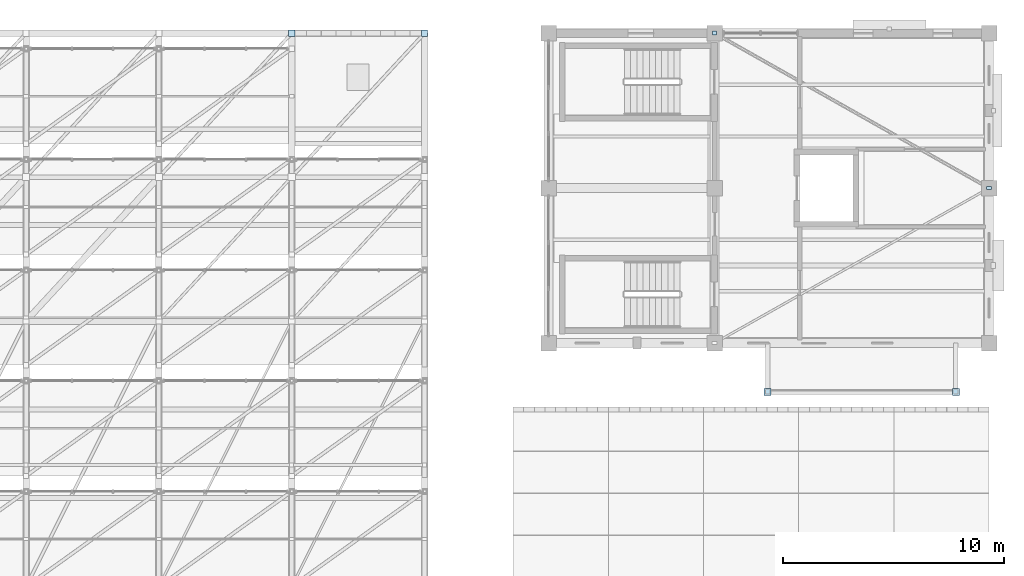
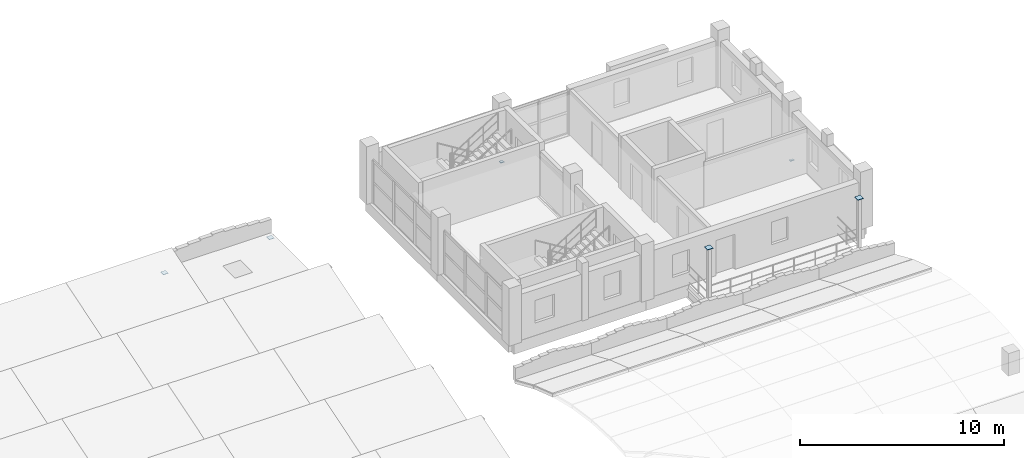
# One storey, part 33 of 48: 6 plates.
"""IFC4 building model written with IfcOpenShell, lengths in metres."""

import ifcopenshell
import ifcopenshell.guid

model = None  # the IFC model being written
_history = None  # IfcOwnerHistory: only IFC2X3 demands one
_inside = {}  # id of a spatial element -> (the spatial element, [elements in it])
_under = {}  # id of a project, library or spatial element -> (it, [spatial elements below it])
_declared = {}  # id of a project -> (the project, [libraries it declares])
_typed = {}  # id of a type object -> (the type object, [elements of that type])
_made_of = {}  # id of a material, layer set ... -> (it, [elements and type objects made of it])


def new_model(schema):
    """Start an empty IFC model of exactly this schema.

    Asked for "IFC4X3", IfcOpenShell would pick the latest addendum, in which some entities
    have other attributes; the version numbers below select the first issue.
    IFC2X3 requires an IfcOwnerHistory on every rooted entity: one is made here for all.
    """
    global model, _history
    if schema == "IFC4X3":
        model = ifcopenshell.file(schema_version=(4, 3, 0, 0))
    else:
        model = ifcopenshell.file(schema=schema)
    _inside.clear()
    _under.clear()
    _declared.clear()
    _typed.clear()
    _made_of.clear()
    _history = None
    if model.schema == "IFC2X3":
        org = make("IfcOrganization", Name="unknown")
        user = make(
            "IfcPersonAndOrganization",
            ThePerson=make("IfcPerson", FamilyName="unknown"),
            TheOrganization=org,
        )
        app = make(
            "IfcApplication",
            ApplicationDeveloper=org,
            Version="unknown",
            ApplicationFullName="unknown",
            ApplicationIdentifier="unknown",
        )
        _history = make(
            "IfcOwnerHistory",
            OwningUser=user,
            OwningApplication=app,
            ChangeAction="ADDED",
            CreationDate=0,
        )
    return model


def make(cls, **values):
    """One entity of the class cls with the attributes given. An attribute that is None is left unset."""
    return model.create_entity(
        cls, **{name: value for name, value in values.items() if value is not None}
    )


def rooted(cls, **values):
    """An entity with a GlobalId (a new one), such as an element, a storey or a relation."""
    return make(cls, GlobalId=ifcopenshell.guid.new(), OwnerHistory=_history, **values)


def si_unit(unit_type, name, prefix=None):
    """IfcSIUnit, for example si_unit("LENGTHUNIT", "METRE", prefix="MILLI")."""
    return make("IfcSIUnit", UnitType=unit_type, Prefix=prefix, Name=name)


def assignment(units):
    """IfcUnitAssignment: the units of a project."""
    return None if units is None else make("IfcUnitAssignment", Units=units)


def point(xyz):
    """IfcCartesianPoint."""
    return None if xyz is None else make("IfcCartesianPoint", Coordinates=xyz)


def direction(xyz):
    """IfcDirection."""
    return None if xyz is None else make("IfcDirection", DirectionRatios=xyz)


def frame(location, z_axis=None, x_axis=None):
    """IfcAxis2Placement3D, a coordinate frame: its origin and axes. An axis left out is left unset."""
    return make(
        "IfcAxis2Placement3D",
        Location=point(location),
        Axis=direction(z_axis),
        RefDirection=direction(x_axis),
    )


def frame_2d(location, x_axis=None):
    """IfcAxis2Placement2D, a coordinate frame in the plane: its origin and x axis."""
    return make(
        "IfcAxis2Placement2D", Location=point(location), RefDirection=direction(x_axis)
    )


def origin():
    """The frame at (0, 0, 0) with its axes left unset."""
    return frame((0.0, 0.0, 0.0))


def origin_2d():
    """The frame at (0, 0) in the plane with its x axis left unset."""
    return frame_2d((0.0, 0.0))


def place(relative_to, where):
    """IfcLocalPlacement: puts the frame where relative to a parent placement (None: the world)."""
    return make(
        "IfcLocalPlacement", PlacementRelTo=relative_to, RelativePlacement=where
    )


def context(
    kind, dimensions, precision=None, world=None, true_north=None, identifier=None
):
    """IfcGeometricRepresentationContext, for example the 3D "Model" context."""
    return make(
        "IfcGeometricRepresentationContext",
        ContextIdentifier=identifier,
        ContextType=kind,
        CoordinateSpaceDimension=dimensions,
        Precision=precision,
        WorldCoordinateSystem=world,
        TrueNorth=true_north,
    )


def subcontext(parent, identifier, kind, view, scale=None):
    """IfcGeometricRepresentationSubContext, for example "Body" below "Model"."""
    return make(
        "IfcGeometricRepresentationSubContext",
        ContextIdentifier=identifier,
        ContextType=kind,
        ParentContext=parent,
        TargetScale=scale,
        TargetView=view,
    )


def project(units=None, contexts=None):
    """IfcProject with its units and contexts."""
    return rooted(
        "IfcProject",
        Name="project",
        RepresentationContexts=contexts,
        UnitsInContext=assignment(units),
    )


def spatial(cls, under=None, at=None, **own):
    """A site, building, storey or space (cls), placed at a placement, below another one or the project."""
    s = rooted(cls, ObjectPlacement=at, **own)
    if under is not None:
        _under.setdefault(under.id(), (under, []))[1].append(s)
    return s


def profile(cls, at=None, kind="AREA", **sizes):
    """A parametric profile (cls). Its sizes go by their IFC names, for example OverallWidth=200.0."""
    return make(cls, ProfileType=kind, Position=at, **sizes)


def rectangle(**sizes):
    """IfcRectangleProfileDef."""
    return profile("IfcRectangleProfileDef", **sizes)


def extrude(swept, where, along, depth):
    """IfcExtrudedAreaSolid: the profile swept, set in the frame where, extruded along a direction by depth."""
    return make(
        "IfcExtrudedAreaSolid",
        SweptArea=swept,
        Position=where,
        ExtrudedDirection=direction(along),
        Depth=depth,
    )


def shape(context_of_items, identifier, shape_type, items):
    """IfcShapeRepresentation: the items that make up one representation, for example the "Body"."""
    return make(
        "IfcShapeRepresentation",
        ContextOfItems=context_of_items,
        RepresentationIdentifier=identifier,
        RepresentationType=shape_type,
        Items=items,
    )


def material(Name=None, Category=None):
    """IfcMaterial."""
    return make("IfcMaterial", Name=Name, Category=Category)


def layer(
    of_material, thickness, ventilated=None, Name=None, Category=None, Priority=None
):
    """IfcMaterialLayer: one layer of a wall or slab, of a material (None: an air gap)."""
    return make(
        "IfcMaterialLayer",
        Material=of_material,
        LayerThickness=thickness,
        IsVentilated=ventilated,
        Name=Name,
        Category=Category,
        Priority=Priority,
    )


def layer_set(layers, Name=None):
    """IfcMaterialLayerSet."""
    return make("IfcMaterialLayerSet", MaterialLayers=layers, LayerSetName=Name)


def made_of(thing, what):
    """Note that an element or type object is made of a material, layer set ...; save() writes the relation."""
    if what is not None:
        _made_of.setdefault(what.id(), (what, []))[1].append(thing)
    return thing


def type_object(cls, material=None, **own):
    """A type object (cls), such as IfcWallType, which elements share."""
    return made_of(rooted(cls, **own), material)


def element(
    cls,
    number,
    at=None,
    inside=None,
    cuts=None,
    type_object=None,
    material=None,
    context=None,
    identifier="Body",
    shape_type=None,
    held_by="IfcProductDefinitionShape",
    body=None,
    shapes=None,
    **own,
):
    """One element of the class cls, such as IfcWall. Its Tag is "e" and its number.

    at: its placement. inside: the storey or other place that contains it. cuts: it is an
    opening in that element (IfcRelVoidsElement). A single representation is given by context,
    identifier, shape_type and body (its items); several are given by shapes. held_by: the class
    of the entity that holds the representations. save() writes the other relations.
    """
    e = rooted(cls, Tag="e%d" % number, ObjectPlacement=at, **own)
    if body is not None:
        shapes = [shape(context, identifier, shape_type, body)]
    if shapes is not None:
        e.Representation = make(held_by, Representations=shapes)
    if inside is not None:
        _inside.setdefault(inside.id(), (inside, []))[1].append(e)
    if cuts is not None:
        rooted(
            "IfcRelVoidsElement", RelatingBuildingElement=cuts, RelatedOpeningElement=e
        )
    if type_object is not None:
        _typed.setdefault(type_object.id(), (type_object, []))[1].append(e)
    return made_of(e, material)


def aggregate(whole, parts):
    """IfcRelAggregates: a whole, such as a stair, and the parts it consists of."""
    return rooted("IfcRelAggregates", RelatingObject=whole, RelatedObjects=parts)


def save(model, path):
    """Write the relations noted so far, then the file.

    IfcRelAggregates (storeys below a building ...), IfcRelContainedInSpatialStructure (elements
    in a storey), IfcRelDefinesByType, IfcRelAssociatesMaterial and IfcRelDeclares: one each for
    every whole, place, type object, material and project.
    """
    for whole, parts in _under.values():
        aggregate(whole, parts)
    for where, things in _inside.values():
        rooted(
            "IfcRelContainedInSpatialStructure",
            RelatedElements=things,
            RelatingStructure=where,
        )
    for kind, things in _typed.values():
        rooted("IfcRelDefinesByType", RelatedObjects=things, RelatingType=kind)
    for what, things in _made_of.values():
        rooted("IfcRelAssociatesMaterial", RelatedObjects=things, RelatingMaterial=what)
    for by, libraries in _declared.values():
        rooted("IfcRelDeclares", RelatingContext=by, RelatedDefinitions=libraries)
    model.write(path)


model = new_model("IFC4")

# Units and contexts
model_context = context("Model", 3, precision=1e-05, world=origin(), true_north=direction((0.0, 1.0)))
body_context = subcontext(model_context, "Body", "Model", "MODEL_VIEW")
ifc_project = project(units=[si_unit("LENGTHUNIT", "METRE"), si_unit("AREAUNIT", "SQUARE_METRE"), si_unit("VOLUMEUNIT", "CUBIC_METRE"), si_unit("PLANEANGLEUNIT", "RADIAN"), si_unit("MASSUNIT", "GRAM", prefix="KILO")], contexts=[model_context])

# Site, building, storey
site_placement = place(None, origin())
site = spatial("IfcSite", under=ifc_project, at=site_placement, CompositionType="ELEMENT")
building_placement = place(site_placement, origin())
building = spatial("IfcBuilding", under=site, at=building_placement, Name="Trellovar Central Fire Station", CompositionType="ELEMENT")
storey_placement = place(building_placement, frame((0.0, 0.0, 9.300048828125)))
storey = spatial("IfcBuildingStorey", under=building, at=storey_placement, Name="L03", CompositionType="ELEMENT", Elevation=9.300048828125)

# Plates
ifc_material_1 = material(Name="Steel ASTM A36", Category="steel")
ifc_layer_1 = layer(ifc_material_1, 0.02392578125)
ifc_layer_set_1 = layer_set([ifc_layer_1], Name="Steel ASTM A36")
plate_type_1 = type_object("IfcPlateType", Name="PLT-EP1", PredefinedType="SHEET", material=ifc_layer_set_1)
for number, where, z_axis, x_axis, name in (
    (1, (151.0, 56.800048828125, 3.43798828125), (0.0, 0.0, 1.0), (1.0, 0.0, 0.0), "HSS end-cap plate 101"),
    (2, (159.5, 56.800048828125, 3.43798828125), (0.0, 0.0, 1.0), (1.0, 0.0, 0.0), "HSS end-cap plate 102"),
):
    element("IfcPlate", number, at=place(storey_placement, frame(where, z_axis=z_axis, x_axis=x_axis)), inside=storey, type_object=plate_type_1, Name=name, PredefinedType="SHEET", context=body_context, shape_type="SweptSolid", body=[
        extrude(rectangle(XDim=0.320068359375, YDim=0.320068359375, at=origin_2d()), origin(), (0.0, 0.0, 1.0), 0.02392578125),
    ])
ifc_material_2 = material(Name="Steel ASTM A36", Category="steel")
ifc_layer_2 = layer(ifc_material_2, 0.02001953125)
ifc_layer_set_2 = layer_set([ifc_layer_2], Name="Steel ASTM A36")
plate_type_2 = type_object("IfcPlateType", Name="PLT-EP2", PredefinedType="SHEET", material=ifc_layer_set_2)
for number, where, z_axis, x_axis, name in (
    (3, (129.5, 73.0, -0.360107421875), (0.0, 0.0, 1.0), (1.0, 0.0, 0.0), "HSS end-cap plate 359"),
    (4, (135.5, 73.0, -0.360107421875), (0.0, 0.0, 1.0), (1.0, 0.0, 0.0), "HSS end-cap plate 364"),
):
    element("IfcPlate", number, at=place(storey_placement, frame(where, z_axis=z_axis, x_axis=x_axis)), inside=storey, type_object=plate_type_2, Name=name, PredefinedType="SHEET", context=body_context, shape_type="SweptSolid", body=[
        extrude(rectangle(XDim=0.280029296875, YDim=0.280029296875, at=origin_2d()), origin(), (0.0, 0.0, 1.0), 0.02001953125),
    ])
ifc_material_3 = material(Name="Steel ASTM A36", Category="steel")
ifc_layer_3 = layer(ifc_material_3, 0.01611328125)
ifc_layer_set_3 = layer_set([ifc_layer_3], Name="Steel ASTM A36")
plate_type_3 = type_object("IfcPlateType", Name="PLT-EP4", PredefinedType="SHEET", material=ifc_layer_set_3)
plate_1_placement = place(storey_placement, frame((161.0, 66.0, -0.398193359375), z_axis=(0.0, 0.0, 1.0), x_axis=(1.0, 0.0, 0.0)))
element("IfcPlate", 5, at=plate_1_placement, inside=storey, type_object=plate_type_3, Name="HSS end-cap plate 532", PredefinedType="SHEET", context=body_context, shape_type="SweptSolid", body=[
    extrude(rectangle(XDim=0.219970703125, YDim=0.139892578125, at=origin_2d()), origin(), (0.0, 0.0, 1.0), 0.01611328125),
])
ifc_material_4 = material(Name="Steel ASTM A36", Category="steel")
ifc_layer_4 = layer(ifc_material_4, 0.01611328125)
ifc_layer_set_4 = layer_set([ifc_layer_4], Name="Steel ASTM A36")
plate_type_4 = type_object("IfcPlateType", Name="PLT-EP5", PredefinedType="SHEET", material=ifc_layer_set_4)
plate_2_placement = place(storey_placement, frame((148.60009765625, 73.0, -0.398193359375), z_axis=(0.0, 0.0, 1.0), x_axis=(1.0, 0.0, 0.0)))
element("IfcPlate", 6, at=plate_2_placement, inside=storey, type_object=plate_type_4, Name="HSS end-cap plate 533", PredefinedType="SHEET", context=body_context, shape_type="SweptSolid", body=[
    extrude(rectangle(XDim=0.179931640625, YDim=0.179931640625, at=origin_2d()), origin(), (0.0, 0.0, 1.0), 0.01611328125),
])

save(model, "model.ifc")
